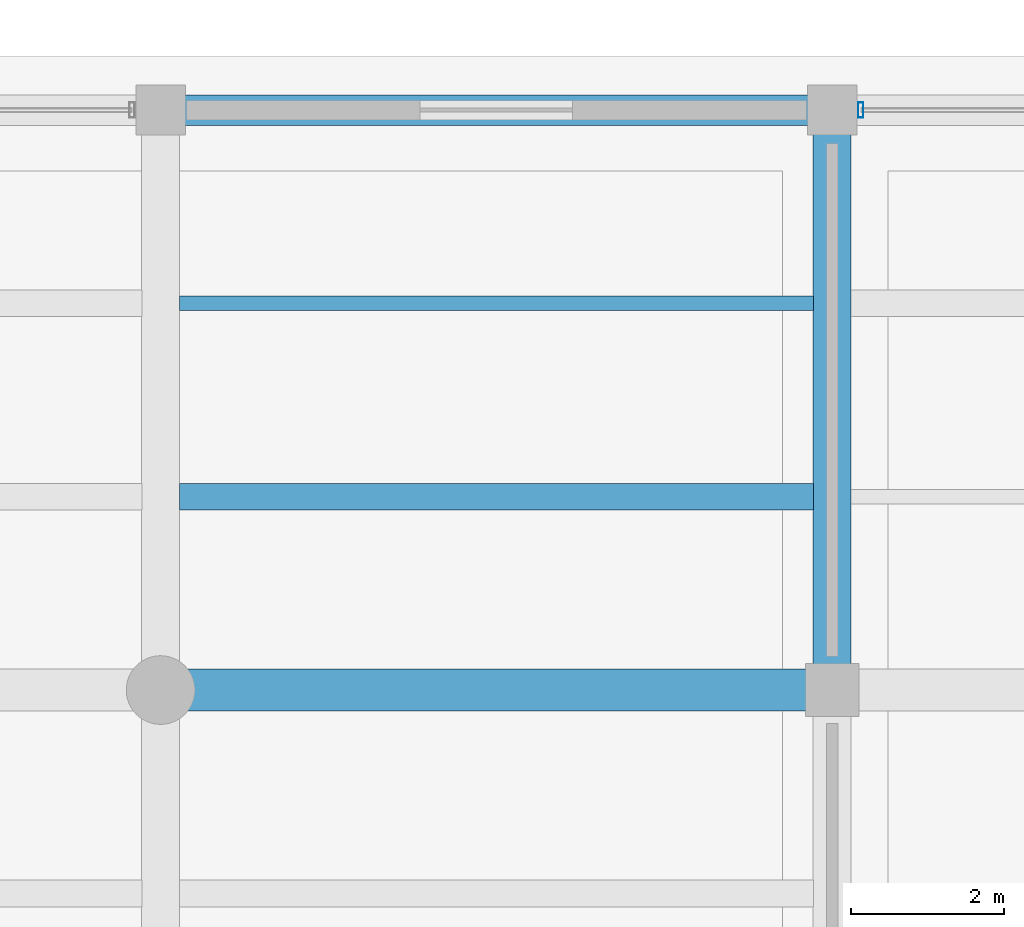
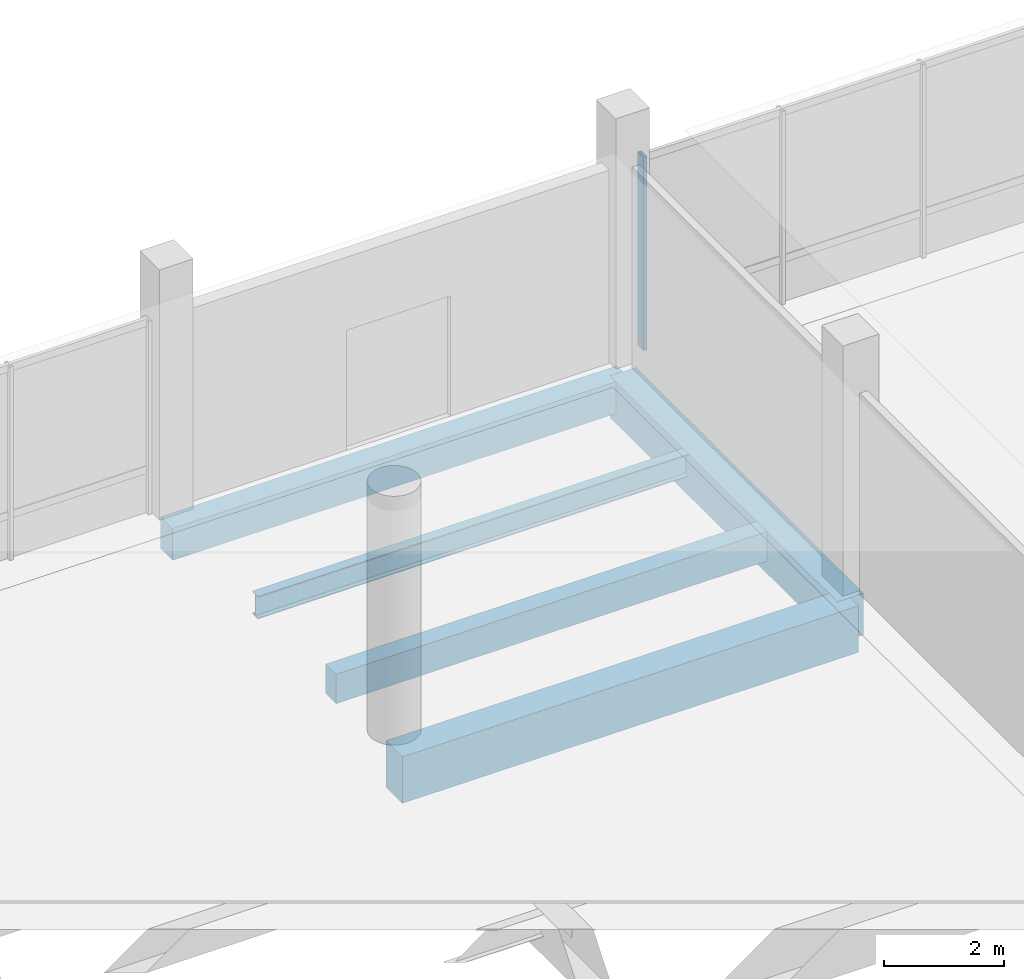
# One storey, part 40 of 73: 5 beams, 1 member, 1 element without a shape of its own.
"""IFC4 building model written with IfcOpenShell, lengths in metres."""

from ifc_helpers import new_model, si_unit, direction, frame, origin, origin_2d, place, context, subcontext, project, spatial, rectangle, hollow_rectangle, i_section, extrude, material, layer, layer_set, material_profile, profile_set, type_object, element, aggregate, save


model = new_model("IFC4")

# Units and contexts
model_context = context("Model", 3, precision=1e-05, world=origin(), true_north=direction((0.0, 1.0)))
body_context = subcontext(model_context, "Body", "Model", "MODEL_VIEW")
ifc_project = project(units=[si_unit("LENGTHUNIT", "METRE"), si_unit("AREAUNIT", "SQUARE_METRE"), si_unit("VOLUMEUNIT", "CUBIC_METRE"), si_unit("PLANEANGLEUNIT", "RADIAN"), si_unit("MASSUNIT", "GRAM", prefix="KILO")], contexts=[model_context])

# Site, building, storey
site_placement = place(None, origin())
site = spatial("IfcSite", under=ifc_project, at=site_placement, CompositionType="ELEMENT")
building_placement = place(site_placement, origin())
building = spatial("IfcBuilding", under=site, at=building_placement, Name="Meriwether Solvik Hall", CompositionType="ELEMENT")
storey_placement = place(building_placement, origin())
storey = spatial("IfcBuildingStorey", under=building, at=storey_placement, Name="L00", CompositionType="ELEMENT", Elevation=0.0)

# Beams
ifc_material_1 = material(Name="Concrete C40/50", Category="concrete")
ifc_material_profile_1 = material_profile(ifc_material_1, rectangle(XDim=0.35009765625, YDim=0.60009765625, at=origin_2d()), Name="RCB-350X600")
ifc_profile_set_1 = profile_set([ifc_material_profile_1], Name="Concrete C40/50")
beam_type_1 = type_object("IfcBeamType", Name="BM-RC-350X600", PredefinedType="JOIST", material=ifc_profile_set_1)
beam_1_placement = place(storey_placement, frame((123.2451171875, 111.7333984375, -0.659912109375), z_axis=(1.0, 0.0, 0.0), x_axis=(0.0, 1.0, 0.0)))
element("IfcBeam", 1, at=beam_1_placement, inside=storey, type_object=beam_type_1, Name="Secondary Floor Joist 14/M_J1 (L00)", PredefinedType="JOIST", context=body_context, shape_type="SweptSolid", body=[
    extrude(rectangle(XDim=0.35009765625, YDim=0.60009765625, at=origin_2d()), origin(), (0.0, 0.0, 1.0), 8.309814453125),
])
ifc_material_2 = material(Name="Concrete C40/50", Category="concrete")
ifc_material_profile_2 = material_profile(ifc_material_2, rectangle(XDim=0.39990234375, YDim=0.64990234375, at=origin_2d()), Name="RCB-400X650")
ifc_profile_set_2 = profile_set([ifc_material_profile_2], Name="Concrete C40/50")
beam_type_2 = type_object("IfcBeamType", Name="BM-RC-400X650", PredefinedType="SPANDREL", material=ifc_profile_set_2)
beam_2_placement = place(storey_placement, frame((123.0, 116.800048828125, -0.68505859375), z_axis=(1.0, 0.0, 0.0), x_axis=(0.0, 1.0, 0.0)))
element("IfcBeam", 2, at=beam_2_placement, inside=storey, type_object=beam_type_2, Name="Podium Girder N:14-15 (L00)", PredefinedType="SPANDREL", context=body_context, shape_type="SweptSolid", body=[
    extrude(rectangle(XDim=0.39990234375, YDim=0.64990234375, at=origin_2d()), origin(), (0.0, 0.0, 1.0), 8.800048828125),
])
ifc_material_3 = material(Name="Concrete C40/50", Category="concrete")
ifc_material_profile_3 = material_profile(ifc_material_3, rectangle(XDim=0.5, YDim=0.85009765625, at=origin_2d()), Name="RCB-500X850")
ifc_profile_set_3 = profile_set([ifc_material_profile_3], Name="Concrete C40/50")
beam_type_3 = type_object("IfcBeamType", Name="BM-RC-500X850", PredefinedType="BEAM", material=ifc_profile_set_3)
beam_3_placement = place(storey_placement, frame((131.800048828125, 109.199951171875, -0.784912109375), z_axis=(0.0, 1.0, 0.0), x_axis=(-1.0, 0.0, 0.0)))
element("IfcBeam", 3, at=beam_3_placement, inside=storey, type_object=beam_type_3, Name="Podium Girder 15:M-N (L00)", PredefinedType="BEAM", context=body_context, shape_type="SweptSolid", body=[
    extrude(rectangle(XDim=0.5, YDim=0.85009765625, at=origin_2d()), origin(), (0.0, 0.0, 1.0), 7.60009765625),
])
ifc_material_4 = material(Name="Concrete C40/50", Category="concrete")
ifc_material_profile_4 = material_profile(ifc_material_4, rectangle(XDim=0.550048828125, YDim=0.949951171875, at=origin_2d()), Name="RCB-550X950")
ifc_profile_set_4 = profile_set([ifc_material_profile_4], Name="Concrete C40/50")
beam_type_4 = type_object("IfcBeamType", Name="BM-RC-550X950", PredefinedType="BEAM", material=ifc_profile_set_4)
beam_4_placement = place(storey_placement, frame((123.0, 109.199951171875, -0.8349609375), z_axis=(1.0, 0.0, 0.0), x_axis=(0.0, 1.0, 0.0)))
element("IfcBeam", 4, at=beam_4_placement, inside=storey, type_object=beam_type_4, Name="Podium Girder M:14-15 (L00)", PredefinedType="BEAM", context=body_context, shape_type="SweptSolid", body=[
    extrude(rectangle(XDim=0.550048828125, YDim=0.949951171875, at=origin_2d()), origin(), (0.0, 0.0, 1.0), 8.800048828125),
])
ifc_material_5 = material(Name="Steel A992 Grade 50", Category="steel")
ifc_material_profile_5 = material_profile(ifc_material_5, i_section(OverallWidth=0.19091796875, OverallDepth=0.45703125, WebThickness=0.009033203125, FlangeThickness=0.014404296875, at=origin_2d()), Name="W18X50")
ifc_profile_set_5 = profile_set([ifc_material_profile_5], Name="Steel A992 Grade 50")
beam_type_5 = type_object("IfcBeamType", Name="BM-STL-W18X50", PredefinedType="JOIST", material=ifc_profile_set_5)
beam_5_placement = place(storey_placement, frame((123.2451171875, 114.2666015625, -0.58837890625), z_axis=(1.0, 0.0, 0.0), x_axis=(0.0, 1.0, 0.0)))
element("IfcBeam", 5, at=beam_5_placement, inside=storey, type_object=beam_type_5, Name="Secondary Floor Joist 14/M_J2 (L00)", PredefinedType="JOIST", context=body_context, shape_type="SweptSolid", body=[
    extrude(i_section(OverallWidth=0.19091796875, OverallDepth=0.45703125, WebThickness=0.009033203125, FlangeThickness=0.014404296875, at=origin_2d()), origin(), (0.0, 0.0, 1.0), 8.309814453125),
])

# Curtain wall, member
ifc_material_6 = material(Name="Thermally Broken Anodised Aluminium 6063-T6 and Low-E Glass", Category="aluminium")
ifc_layer = layer(ifc_material_6, 0.179931640625)
ifc_layer_set = layer_set([ifc_layer], Name="Thermally Broken Anodised Aluminium 6063-T6 and Low-E Glass")
curtain_wall_type = type_object("IfcCurtainWallType", Name="CW-SF-POD-A", PredefinedType="USERDEFINED", material=ifc_layer_set)
curtain_wall_placement = place(storey_placement, origin())
curtain_wall = element("IfcCurtainWall", 6, at=curtain_wall_placement, inside=storey, type_object=curtain_wall_type, Name="Curtain Wall wing_XN_15_32 (L00)", ObjectType="STICK STOREFRONT GLAZING", PredefinedType="USERDEFINED")
ifc_material_7 = material(Name="Anodised Aluminium 6063-T6", Category="aluminium")
ifc_material_profile_6 = material_profile(ifc_material_7, hollow_rectangle(XDim=0.070068359375, YDim=0.199951171875, WallThickness=0.0048828125, at=origin_2d()), Name="CWM-70X200")
ifc_profile_set_6 = profile_set([ifc_material_profile_6], Name="Anodised Aluminium 6063-T6")
member_type = type_object("IfcMemberType", Name="CW-MUL-70X200", PredefinedType="MULLION", material=ifc_profile_set_6)
member_placement = place(storey_placement, frame((132.175048828125, 116.800048828125, 0.0), z_axis=(0.0, 0.0, 1.0), x_axis=(1.0, 0.0, 0.0)))
member = element("IfcMember", 7, at=member_placement, type_object=member_type, Name="Curtain Wall Mullion 1", PredefinedType="MULLION", context=body_context, shape_type="SweptSolid", body=[
    extrude(hollow_rectangle(XDim=0.070068359375, YDim=0.199951171875, WallThickness=0.0048828125, at=origin_2d()), origin(), (0.0, 0.0, 1.0), 3.93994140625),
])
aggregate(curtain_wall, [member])

save(model, "model.ifc")
